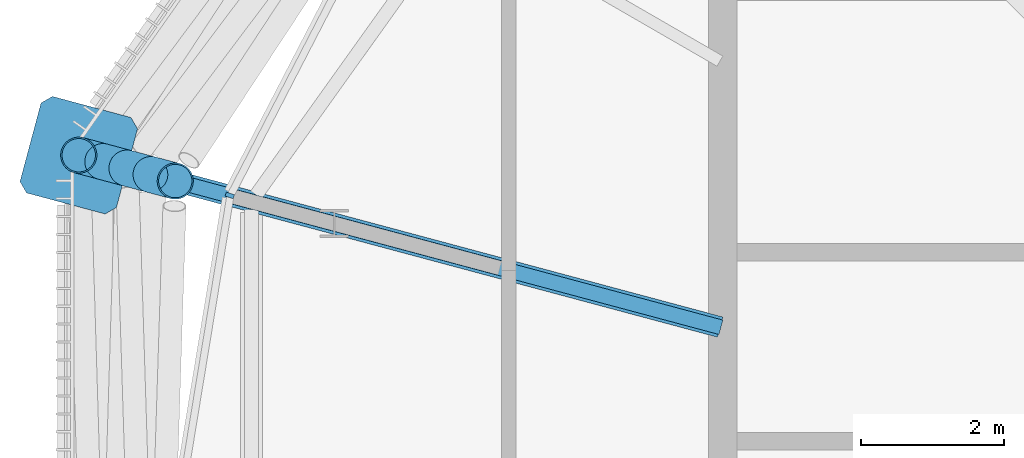
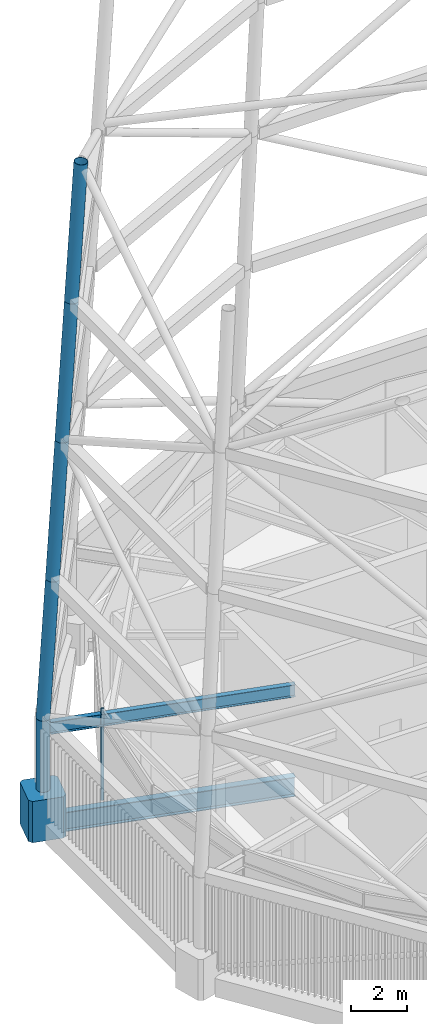
# One storey, part 15 of 71: 7 members, 2 beams, 1 element without a shape of its own.
"""IFC4 building model written with IfcOpenShell, lengths in metres."""

from ifc_helpers import new_model, si_unit, direction, frame, origin, origin_2d, place, context, subcontext, project, spatial, polyline, rectangle, hollow_circle, i_section, outline, extrude, material, material_profile, profile_set, type_object, element, aggregate, save


model = new_model("IFC4")

# Units and contexts
model_context = context("Model", 3, precision=1e-05, world=origin(), true_north=direction((0.0, 1.0)))
body_context = subcontext(model_context, "Body", "Model", "MODEL_VIEW")
ifc_project = project(units=[si_unit("LENGTHUNIT", "METRE"), si_unit("AREAUNIT", "SQUARE_METRE"), si_unit("VOLUMEUNIT", "CUBIC_METRE"), si_unit("PLANEANGLEUNIT", "RADIAN"), si_unit("MASSUNIT", "GRAM", prefix="KILO")], contexts=[model_context])

# Site, building, storey
site_placement = place(None, origin())
site = spatial("IfcSite", under=ifc_project, at=site_placement, CompositionType="ELEMENT")
building_placement = place(site_placement, origin())
building = spatial("IfcBuilding", under=site, at=building_placement, Name="Rimbun Link Towers", CompositionType="ELEMENT")
storey_placement = place(building_placement, frame((0.0, 0.0, 267.60009765625)))
storey = spatial("IfcBuildingStorey", under=building, at=storey_placement, Name="L65", CompositionType="ELEMENT", Elevation=267.60009765625)

# Curtain wall, member
ifc_material_1 = material(Name="Aluminium 6063-T6 louvre wall", Category="aluminium")
curtain_wall_type = type_object("IfcCurtainWallType", Name="CW6 plant floor louvre wall", PredefinedType="NOTDEFINED", material=ifc_material_1)
curtain_wall_placement = place(storey_placement, origin())
curtain_wall = element("IfcCurtainWall", 1, at=curtain_wall_placement, inside=storey, type_object=curtain_wall_type, Name="CW6 L65 T1", PredefinedType="NOTDEFINED")
ifc_material_2 = material(Name="Aluminium 6063-T6", Category="aluminium")
ifc_material_profile_1 = material_profile(ifc_material_2, rectangle(XDim=0.1201171875, YDim=0.06005859375, at=origin_2d()), Name="MULLION 60X120")
ifc_profile_set_1 = profile_set([ifc_material_profile_1], Name="Aluminium 6063-T6")
member_type_1 = type_object("IfcMemberType", Name="CW6 mullion 60X120", PredefinedType="MULLION", material=ifc_profile_set_1)
member_1_placement = place(storey_placement, frame((-50.66064453125, 5.07080078125, 0.0), z_axis=(0.0, 0.0, 1.0), x_axis=(-0.949160819046, 0.31479158119, 0.0)))
member_1 = element("IfcMember", 2, at=member_1_placement, type_object=member_type_1, Name="CW6 mullion", PredefinedType="MULLION", context=body_context, shape_type="SweptSolid", body=[
    extrude(rectangle(XDim=0.1201171875, YDim=0.06005859375, at=origin_2d()), origin(), (0.0, 0.0, 1.0), 4.0),
])
aggregate(curtain_wall, [member_1])

# Members
ifc_material_3 = material(Name="Steel S355J2H", Category="steel")
ifc_material_profile_2 = material_profile(ifc_material_3, hollow_circle(Radius=0.25390625, WallThickness=0.02001953125, at=origin_2d()), Name="Crown frame post CHS 508x20")
ifc_profile_set_2 = profile_set([ifc_material_profile_2], Name="Steel S355J2H")
member_type_2 = type_object("IfcMemberType", Name="Crown frame post CHS 508x20", PredefinedType="POST", material=ifc_profile_set_2)
member_2_placement = place(storey_placement, frame((-52.777099609375, 5.63427734375, 0.0), z_axis=(0.0, 0.0, 1.0), x_axis=(1.0, 0.0, 0.0)))
element("IfcMember", 3, at=member_2_placement, inside=storey, type_object=member_type_2, Name="CROWN FRAME post T1 1-05", PredefinedType="POST", context=body_context, shape_type="SweptSolid", body=[
    extrude(hollow_circle(Radius=0.25390625, WallThickness=0.02001953125, at=origin_2d()), origin(), (0.0, 0.0, 1.0), 4.0),
])
for number, where, z_axis, x_axis, name in (
    (4, (-52.777099609375, 5.63427734375, 4.0), (0.056260124661, -0.015070401624, 0.998302399761), (0.258747705633, 0.965944938819, 0.0), "CROWN FRAME post T1 2-05"),
    (5, (-52.43896484375, 5.543701171875, 10.0), (0.056260090174, -0.01511101339, 0.998301787802), (0.259398269136, 0.96577043751, 0.0), "CROWN FRAME post T1 3-05"),
    (6, (-52.100830078125, 5.452880859375, 16.0), (0.056260124661, -0.015070401624, 0.998302399761), (0.258747705633, 0.965944938819, 0.0), "CROWN FRAME post T1 4-05"),
    (7, (-51.7626953125, 5.3623046875, 22.0), (0.056219632067, -0.015070436053, 0.998304680409), (0.258922132605, 0.96589819818, 0.0), "CROWN FRAME post T1 5-05"),
):
    element("IfcMember", number, at=place(storey_placement, frame(where, z_axis=z_axis, x_axis=x_axis)), inside=storey, type_object=member_type_2, Name=name, PredefinedType="POST", context=body_context, shape_type="SweptSolid", body=[
        extrude(hollow_circle(Radius=0.25390625, WallThickness=0.02001953125, at=origin_2d()), origin(), (0.0, 0.0, 1.0), 6.01025390625),
    ])
ifc_material_4 = material(Name="Cast steel G20Mn5+QT, Rp0.2 300 MPa", Category="steel")
ifc_material_profile_3 = material_profile(ifc_material_4, outline(polyline([(0.699951171875, -0.570068359375), (0.699951171875, 0.570068359375), (0.570068359375, 0.699951171875), (-0.570068359375, 0.699951171875), (-0.699951171875, 0.570068359375), (-0.699951171875, -0.570068359375), (-0.570068359375, -0.699951171875), (0.570068359375, -0.699951171875), (0.699951171875, -0.570068359375)])), Name="NODE 1400x1400")
ifc_profile_set_3 = profile_set([ifc_material_profile_3], Name="Cast steel G20Mn5+QT, Rp0.2 300 MPa")
member_type_3 = type_object("IfcMemberType", Name="Diagrid node cast 1400", PredefinedType="USERDEFINED", material=ifc_profile_set_3)
member_3_placement = place(storey_placement, frame((-52.777099609375, 5.63427734375, -0.900146484375), z_axis=(0.0, 0.0, 1.0), x_axis=(-0.965925826289, 0.258819045103, 0.0)))
element("IfcMember", 8, at=member_3_placement, inside=storey, type_object=member_type_3, Name="Diagrid node L65 11", ObjectType="Diagrid node", PredefinedType="USERDEFINED", context=body_context, shape_type="SweptSolid", body=[
    extrude(outline(polyline([(0.699951171875, -0.570068359375), (0.699951171875, 0.570068359375), (0.570068359375, 0.699951171875), (-0.570068359375, 0.699951171875), (-0.699951171875, 0.570068359375), (-0.699951171875, -0.570068359375), (-0.570068359375, -0.699951171875), (0.570068359375, -0.699951171875), (0.699951171875, -0.570068359375)])), origin(), (0.0, 0.0, 1.0), 1.800048828125),
])

# Beams
ifc_material_5 = material(Name="Steel S355J2", Category="steel")
ifc_material_profile_4 = material_profile(ifc_material_5, i_section(OverallWidth=0.209228515625, OverallDepth=0.533203125, WebThickness=0.010009765625, FlangeThickness=0.015625, at=origin_2d()), Name="UB 533x210x92")
ifc_profile_set_4 = profile_set([ifc_material_profile_4], Name="Steel S355J2")
beam_type_1 = type_object("IfcBeamType", Name="UB 533x210x92", PredefinedType="BEAM", material=ifc_profile_set_4)
beam_1_placement = place(storey_placement, frame((-43.778076171875, 3.222900390625, 3.533447265625), z_axis=(-0.965925068191, 0.258821874346, 0.0), x_axis=(-0.258821874346, -0.965925068191, 0.0)))
element("IfcBeam", 9, at=beam_1_placement, inside=storey, type_object=beam_type_1, Name="Radial beam T1 L65 11", PredefinedType="BEAM", context=body_context, shape_type="SweptSolid", body=[
    extrude(i_section(OverallWidth=0.209228515625, OverallDepth=0.533203125, WebThickness=0.010009765625, FlangeThickness=0.015625, at=origin_2d()), origin(), (0.0, 0.0, 1.0), 9.056396484375),
])
ifc_material_6 = material(Name="Steel S355J2", Category="steel")
ifc_material_profile_5 = material_profile(ifc_material_6, i_section(OverallWidth=0.29248046875, OverallDepth=0.8408203125, WebThickness=0.0126953125, FlangeThickness=0.021728515625, at=origin_2d()), Name="UB 838x292x194")
ifc_profile_set_5 = profile_set([ifc_material_profile_5], Name="Steel S355J2")
beam_type_2 = type_object("IfcBeamType", Name="UB 838x292x194", PredefinedType="BEAM", material=ifc_profile_set_5)
beam_2_placement = place(storey_placement, frame((-43.788818359375, 3.225830078125, -0.620361328125), z_axis=(-0.965922679328, 0.258830789434, 0.0), x_axis=(-0.258830789434, -0.965922679328, 0.0)))
element("IfcBeam", 10, at=beam_2_placement, inside=storey, type_object=beam_type_2, Name="Radial beam T1 L65 11", PredefinedType="BEAM", context=body_context, shape_type="SweptSolid", body=[
    extrude(i_section(OverallWidth=0.29248046875, OverallDepth=0.8408203125, WebThickness=0.0126953125, FlangeThickness=0.021728515625, at=origin_2d()), origin(), (0.0, 0.0, 1.0), 8.80517578125),
])

save(model, "model.ifc")
